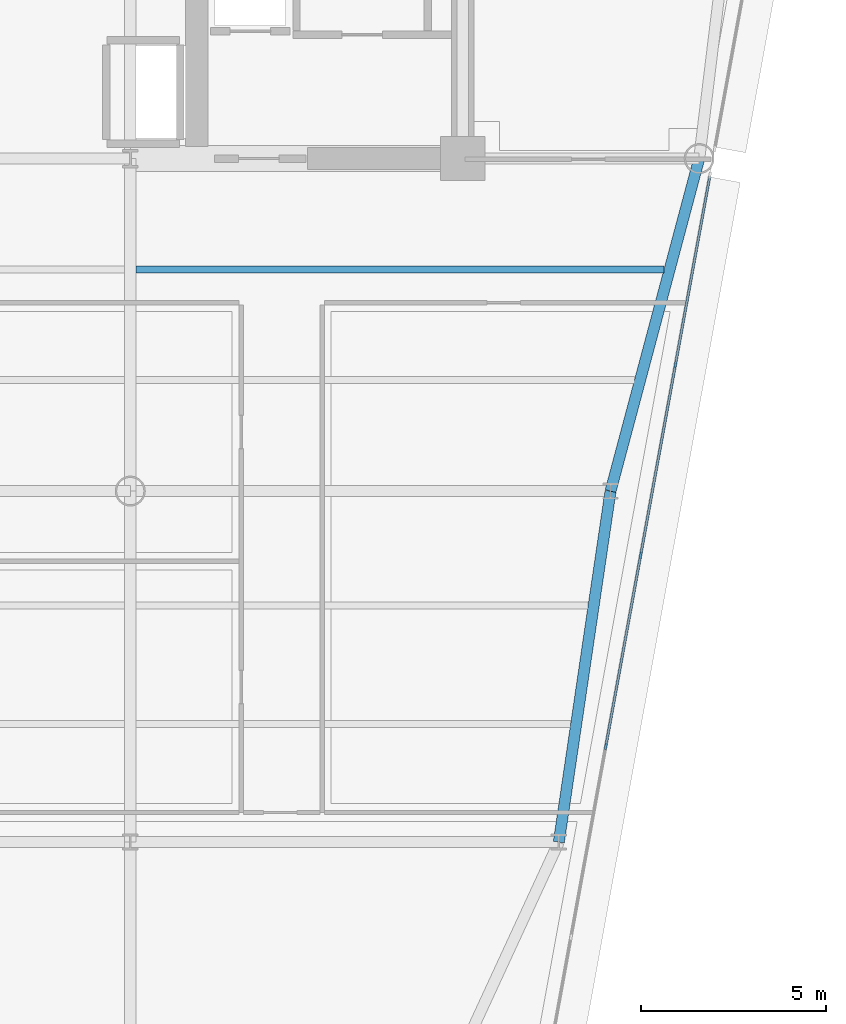
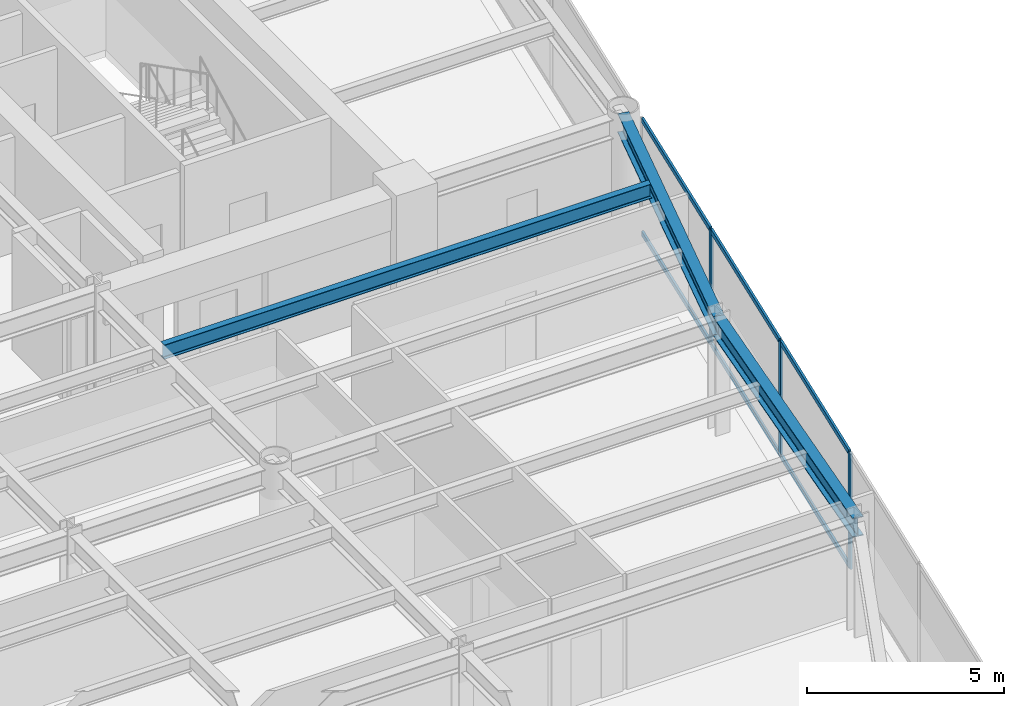
# One storey, part 6 of 17: 9 members, 3 beams, 1 element without a shape of its own.
"""IFC4 building model written with IfcOpenShell, lengths in metres."""

from ifc_helpers import new_model, si_unit, direction, frame, origin, origin_2d, place, context, subcontext, project, spatial, rectangle, i_section, extrude, source, transform, mapped, material, layer, layer_set, material_profile, profile_set, type_object, element, aggregate, save


model = new_model("IFC4")

# Units and contexts
model_context = context("Model", 3, precision=1e-05, world=origin(), true_north=direction((0.0, 1.0)))
body_context = subcontext(model_context, "Body", "Model", "MODEL_VIEW")
ifc_project = project(units=[si_unit("LENGTHUNIT", "METRE"), si_unit("AREAUNIT", "SQUARE_METRE"), si_unit("VOLUMEUNIT", "CUBIC_METRE"), si_unit("PLANEANGLEUNIT", "RADIAN"), si_unit("MASSUNIT", "GRAM", prefix="KILO")], contexts=[model_context])

# Site, building, storey
site_placement = place(None, origin())
site = spatial("IfcSite", under=ifc_project, at=site_placement, CompositionType="ELEMENT")
building_placement = place(site_placement, origin())
building = spatial("IfcBuilding", under=site, at=building_placement, Name="Vaeldorn Concourse Tower", CompositionType="ELEMENT")
storey_placement = place(building_placement, frame((0.0, 0.0, 172.800048828125)))
storey = spatial("IfcBuildingStorey", under=building, at=storey_placement, Name="L44", CompositionType="ELEMENT", Elevation=172.800048828125)

# Beams
ifc_material_1 = material(Name="Steel S355", Category="steel")
ifc_material_profile_1 = material_profile(ifc_material_1, i_section(OverallWidth=0.18994140625, OverallDepth=0.449951171875, WebThickness=0.009521484375, FlangeThickness=0.0146484375, FilletRadius=0.02099609375, at=origin_2d()), Name="IPE 450")
ifc_profile_set_1 = profile_set([ifc_material_profile_1], Name="Steel S355")
beam_type_1 = type_object("IfcBeamType", Name="BM-JS-IPE450", PredefinedType="JOIST", material=ifc_profile_set_1)
shared_shape_1 = source(origin(), body_context, "Body", "SweptSolid", [
    extrude(i_section(OverallWidth=0.18994140625, OverallDepth=0.449951171875, WebThickness=0.009521484375, FlangeThickness=0.0146484375, FilletRadius=0.02099609375, at=origin_2d()), origin(), (0.0, 0.0, 1.0), 14.300048828125),
])
beam_1_placement = place(storey_placement, frame((45.14990234375, 33.5, 3.35498046875), z_axis=(1.0, 0.0, 0.0), x_axis=(0.0, 1.0, 0.0)))
element("IfcBeam", 1, at=beam_1_placement, inside=storey, type_object=beam_type_1, Name="Beam JS-L44-E1-335", PredefinedType="JOIST", context=body_context, shape_type="MappedRepresentation", body=[
    mapped(shared_shape_1, transform((0.0, 0.0, 0.0), scale=1.0)),
])
ifc_material_profile_2 = material_profile(ifc_material_1, i_section(OverallWidth=0.300048828125, OverallDepth=0.60009765625, WebThickness=0.015380859375, FlangeThickness=0.030029296875, FilletRadius=0.027099609375, at=origin_2d()), Name="HEB 600")
ifc_profile_set_2 = profile_set([ifc_material_profile_2], Name="Steel S355")
beam_type_2 = type_object("IfcBeamType", Name="BM-PG-HEB600", PredefinedType="BEAM", material=ifc_profile_set_2)
shared_shape_2 = source(origin(), body_context, "Body", "SweptSolid", [
    extrude(i_section(OverallWidth=0.300048828125, OverallDepth=0.60009765625, WebThickness=0.015380859375, FlangeThickness=0.030029296875, FilletRadius=0.027099609375, at=origin_2d()), origin(), (0.0, 0.0, 1.0), 9.314453125),
])
beam_2_placement = place(storey_placement, frame((60.39990234375, 36.5, 3.280029296875), z_axis=(-0.257652862255, -0.966237549763, 0.0), x_axis=(0.966237549763, -0.257652862255, 0.0)))
element("IfcBeam", 2, at=beam_2_placement, inside=storey, type_object=beam_type_2, Name="Beam BM-L44-C-NE2-C-FLE1", PredefinedType="BEAM", context=body_context, shape_type="MappedRepresentation", body=[
    mapped(shared_shape_2, transform((0.0, 0.0, 0.0), scale=1.0)),
])
shared_shape_3 = source(origin(), body_context, "Body", "SweptSolid", [
    extrude(i_section(OverallWidth=0.300048828125, OverallDepth=0.60009765625, WebThickness=0.015380859375, FlangeThickness=0.030029296875, FilletRadius=0.027099609375, at=origin_2d()), origin(), (0.0, 0.0, 1.0), 9.6025390625),
])
beam_3_placement = place(storey_placement, frame((58.0, 27.5, 3.280029296875), z_axis=(-0.145783835977, -0.989316467652, 0.0), x_axis=(0.989316467652, -0.145783835977, 0.0)))
element("IfcBeam", 3, at=beam_3_placement, inside=storey, type_object=beam_type_2, Name="Beam BM-L44-C-FLE1-C-FLE2", PredefinedType="BEAM", context=body_context, shape_type="MappedRepresentation", body=[
    mapped(shared_shape_3, transform((0.0, 0.0, 0.0), scale=1.0)),
])

# Curtain wall, members
ifc_material_2 = material(Name="Anodised Bronze Aluminium", Category="aluminium")
ifc_layer = layer(ifc_material_2, 0.18994140625)
ifc_layer_set = layer_set([ifc_layer], Name="Anodised Bronze Aluminium")
curtain_wall_type = type_object("IfcCurtainWallType", Name="CW-SYS-03", PredefinedType="NOTDEFINED", material=ifc_layer_set)
curtain_wall_placement = place(storey_placement, origin())
curtain_wall = element("IfcCurtainWall", 4, at=curtain_wall_placement, inside=storey, type_object=curtain_wall_type, Name="Unitised Curtain Wall CW-L44-E07-1", PredefinedType="NOTDEFINED")
ifc_material_profile_3 = material_profile(ifc_material_2, rectangle(XDim=0.06494140625, YDim=0.169921875, at=origin_2d()), Name="CWM 65x170")
ifc_profile_set_3 = profile_set([ifc_material_profile_3], Name="Anodised Bronze Aluminium")
member_type_1 = type_object("IfcMemberType", Name="CWM-BRONZE-170", PredefinedType="MULLION", material=ifc_profile_set_3)
shared_shape_4 = source(origin(), body_context, "Body", "SweptSolid", [
    extrude(rectangle(XDim=0.06494140625, YDim=0.169921875, at=origin_2d()), origin(), (0.0, 0.0, 1.0), 3.579833984375),
])
member_1_placement = place(storey_placement, frame((57.872802734375, 20.591796875, 0.0), z_axis=(0.0, 0.0, 1.0), x_axis=(-0.983767841325, 0.179445909331, 0.0)))
member_1 = element("IfcMember", 5, at=member_1_placement, type_object=member_type_1, Name="CW-03 mullion 4", PredefinedType="MULLION", context=body_context, shape_type="MappedRepresentation", body=[
    mapped(shared_shape_4, transform((0.0, 0.0, 0.0), scale=1.0)),
])
member_2_placement = place(storey_placement, frame((58.814697265625, 25.755615234375, 0.0), z_axis=(0.0, 0.0, 1.0), x_axis=(-0.983767841325, 0.179445909331, 0.0)))
member_2 = element("IfcMember", 6, at=member_2_placement, type_object=member_type_1, Name="CW-03 mullion 5", PredefinedType="MULLION", context=body_context, shape_type="MappedRepresentation", body=[
    mapped(shared_shape_4, transform((0.0, 0.0, 0.0), scale=1.0)),
])
member_3_placement = place(storey_placement, frame((59.756591796875, 30.919677734375, 0.0), z_axis=(0.0, 0.0, 1.0), x_axis=(-0.983767841325, 0.179445909331, 0.0)))
member_3 = element("IfcMember", 7, at=member_3_placement, type_object=member_type_1, Name="CW-03 mullion 6", PredefinedType="MULLION", context=body_context, shape_type="MappedRepresentation", body=[
    mapped(shared_shape_4, transform((0.0, 0.0, 0.0), scale=1.0)),
])
ifc_material_profile_4 = material_profile(ifc_material_2, rectangle(XDim=0.06494140625, YDim=0.14990234375, at=origin_2d()), Name="CWT 65x150")
ifc_profile_set_4 = profile_set([ifc_material_profile_4], Name="Anodised Bronze Aluminium")
member_type_2 = type_object("IfcMemberType", Name="CWT-BRONZE-150", PredefinedType="USERDEFINED", material=ifc_profile_set_4)
shared_shape_5 = source(origin(), body_context, "Body", "SweptSolid", [
    extrude(rectangle(XDim=0.06494140625, YDim=0.14990234375, at=origin_2d()), origin(), (0.0, 0.0, 1.0), 5.151611328125),
])
member_4_placement = place(storey_placement, frame((59.762451171875, 30.95166015625, 0.032470703125), z_axis=(0.179473445995, 0.983762818053, 0.0), x_axis=(-0.983762818053, 0.179473445995, 0.0)))
member_4 = element("IfcMember", 8, at=member_4_placement, type_object=member_type_2, Name="CW-03 transom 6.1", ObjectType="TRANSOM", PredefinedType="USERDEFINED", context=body_context, shape_type="MappedRepresentation", body=[
    mapped(shared_shape_5, transform((0.0, 0.0, 0.0), scale=1.0)),
])
member_5_placement = place(storey_placement, frame((59.762451171875, 30.95166015625, 3.54736328125), z_axis=(0.179473445995, 0.983762818053, 0.0), x_axis=(-0.983762818053, 0.179473445995, 0.0)))
member_5 = element("IfcMember", 9, at=member_5_placement, type_object=member_type_2, Name="CW-03 transom 6.2", ObjectType="TRANSOM", PredefinedType="USERDEFINED", context=body_context, shape_type="MappedRepresentation", body=[
    mapped(shared_shape_5, transform((0.0, 0.0, 0.0), scale=1.0)),
])
shared_shape_6 = source(origin(), body_context, "Body", "SweptSolid", [
    extrude(rectangle(XDim=0.06494140625, YDim=0.14990234375, at=origin_2d()), origin(), (0.0, 0.0, 1.0), 5.18408203125),
])
member_6_placement = place(storey_placement, frame((57.878662109375, 20.623779296875, 0.032470703125), z_axis=(0.179432467646, 0.983770293084, 0.0), x_axis=(-0.983770293084, 0.179432467646, 0.0)))
member_6 = element("IfcMember", 10, at=member_6_placement, type_object=member_type_2, Name="CW-03 transom 4.1", ObjectType="TRANSOM", PredefinedType="USERDEFINED", context=body_context, shape_type="MappedRepresentation", body=[
    mapped(shared_shape_6, transform((0.0, 0.0, 0.0), scale=1.0)),
])
member_7_placement = place(storey_placement, frame((57.878662109375, 20.623779296875, 3.54736328125), z_axis=(0.179432467646, 0.983770293084, 0.0), x_axis=(-0.983770293084, 0.179432467646, 0.0)))
member_7 = element("IfcMember", 11, at=member_7_placement, type_object=member_type_2, Name="CW-03 transom 4.2", ObjectType="TRANSOM", PredefinedType="USERDEFINED", context=body_context, shape_type="MappedRepresentation", body=[
    mapped(shared_shape_6, transform((0.0, 0.0, 0.0), scale=1.0)),
])
shared_shape_7 = source(origin(), body_context, "Body", "SweptSolid", [
    extrude(rectangle(XDim=0.06494140625, YDim=0.14990234375, at=origin_2d()), origin(), (0.0, 0.0, 1.0), 5.184326171875),
])
member_8_placement = place(storey_placement, frame((58.820556640625, 25.78759765625, 0.032470703125), z_axis=(0.179424154775, 0.983771809254, 0.0), x_axis=(-0.983771809254, 0.179424154775, 0.0)))
member_8 = element("IfcMember", 12, at=member_8_placement, type_object=member_type_2, Name="CW-03 transom 5.1", ObjectType="TRANSOM", PredefinedType="USERDEFINED", context=body_context, shape_type="MappedRepresentation", body=[
    mapped(shared_shape_7, transform((0.0, 0.0, 0.0), scale=1.0)),
])
member_9_placement = place(storey_placement, frame((58.820556640625, 25.78759765625, 3.54736328125), z_axis=(0.179424154775, 0.983771809254, 0.0), x_axis=(-0.983771809254, 0.179424154775, 0.0)))
member_9 = element("IfcMember", 13, at=member_9_placement, type_object=member_type_2, Name="CW-03 transom 5.2", ObjectType="TRANSOM", PredefinedType="USERDEFINED", context=body_context, shape_type="MappedRepresentation", body=[
    mapped(shared_shape_7, transform((0.0, 0.0, 0.0), scale=1.0)),
])
aggregate(curtain_wall, [member_1, member_2, member_3, member_6, member_7, member_8, member_9, member_4, member_5])

save(model, "model.ifc")
